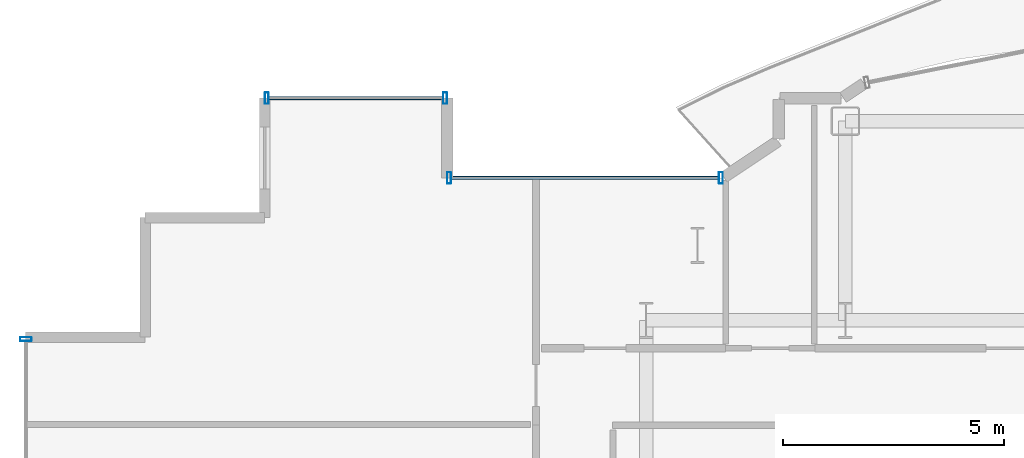
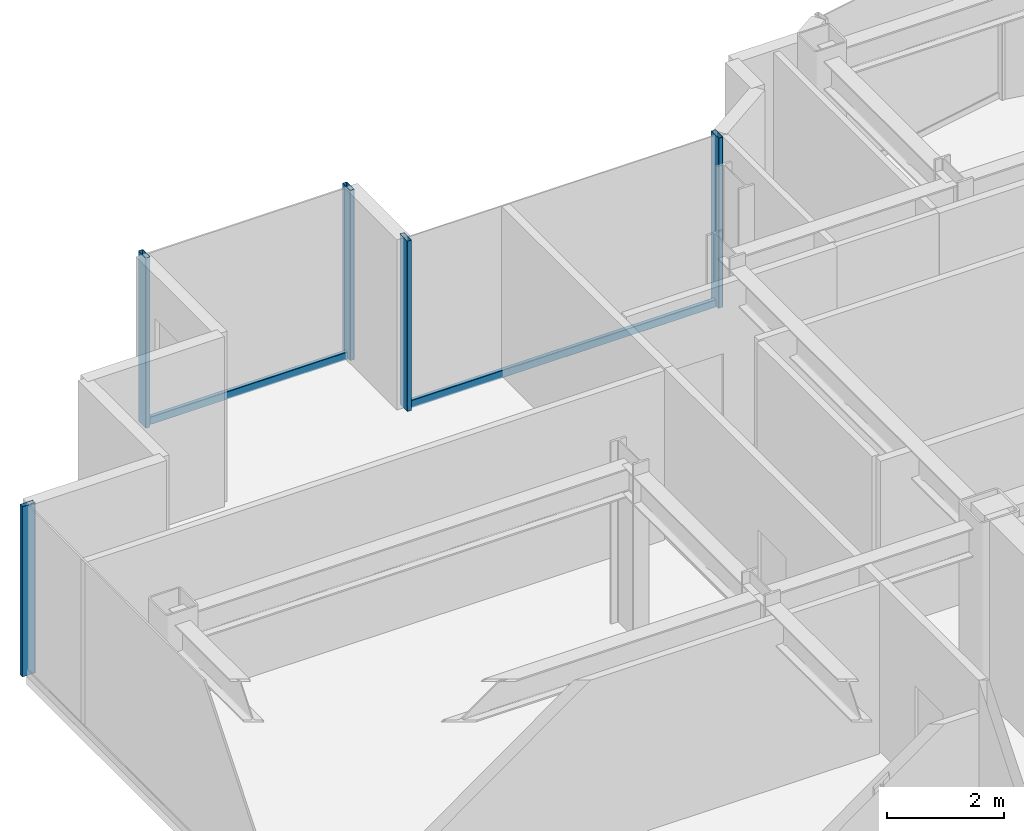
# One storey, part 8 of 21: 7 members, 3 elements without a shape of their own.
"""IFC4 building model written with IfcOpenShell, lengths in metres."""

from ifc_helpers import new_model, si_unit, direction, frame, origin, origin_2d, place, context, subcontext, project, spatial, hollow_rectangle, extrude, source, transform, mapped, material, layer, layer_set, material_profile, profile_set, type_object, element, aggregate, save


model = new_model("IFC4")

# Units and contexts
model_context = context("Model", 3, precision=1e-05, world=origin(), true_north=direction((0.0, 1.0)))
body_context = subcontext(model_context, "Body", "Model", "MODEL_VIEW")
ifc_project = project(units=[si_unit("LENGTHUNIT", "METRE"), si_unit("AREAUNIT", "SQUARE_METRE"), si_unit("VOLUMEUNIT", "CUBIC_METRE"), si_unit("PLANEANGLEUNIT", "RADIAN"), si_unit("MASSUNIT", "GRAM", prefix="KILO")], contexts=[model_context])

# Site, building, storey
site_placement = place(None, origin())
site = spatial("IfcSite", under=ifc_project, at=site_placement, CompositionType="ELEMENT")
building_placement = place(site_placement, origin())
building = spatial("IfcBuilding", under=site, at=building_placement, Name="Nefas-Gora Pilgrimage Tower", CompositionType="ELEMENT")
storey_placement = place(building_placement, frame((0.0, 0.0, 210.39990234375)))
storey = spatial("IfcBuildingStorey", under=building, at=storey_placement, Name="L52", CompositionType="ELEMENT", Elevation=210.39990234375)

# Curtain wall, members
ifc_material_1 = material(Name="Dark ceramic-fritted solar-control aluminium-glass curtain wall", Category="aluminium")
ifc_layer_1 = layer(ifc_material_1, 0.219970703125)
ifc_layer_set_1 = layer_set([ifc_layer_1], Name="Dark ceramic-fritted solar-control aluminium-glass curtain wall")
curtain_wall_type_1 = type_object("IfcCurtainWallType", Name="CW-SYS-5", PredefinedType="NOTDEFINED", material=ifc_layer_set_1)
curtain_wall_1_placement = place(storey_placement, origin())
curtain_wall_1 = element("IfcCurtainWall", 1, at=curtain_wall_1_placement, inside=storey, type_object=curtain_wall_type_1, Name="L52 Unitised Curtain Wall CW5", PredefinedType="NOTDEFINED")
ifc_material_2 = material(Name="Anodised architectural aluminium", Category="aluminium")
ifc_material_profile_1 = material_profile(ifc_material_2, hollow_rectangle(XDim=0.090087890625, YDim=0.260009765625, WallThickness=0.006103515625, InnerFilletRadius=0.006103515625, OuterFilletRadius=0.011962890625, at=origin_2d()), Name="ALU MULLION 90x260")
ifc_profile_set_1 = profile_set([ifc_material_profile_1], Name="Anodised architectural aluminium")
member_type_1 = type_object("IfcMemberType", Name="CWM-MUL-5", PredefinedType="MULLION", material=ifc_profile_set_1)
shared_shape_1 = source(origin(), body_context, "Body", "SweptSolid", [
    extrude(hollow_rectangle(XDim=0.090087890625, YDim=0.260009765625, WallThickness=0.006103515625, InnerFilletRadius=0.006103515625, OuterFilletRadius=0.011962890625, at=origin_2d()), origin(), (0.0, 0.0, 1.0), 3.550048828125),
])
member_1_placement = place(storey_placement, frame((-9.56298828125, 21.219970703125, 0.0), z_axis=(0.0, 0.0, 1.0), x_axis=(-1.0, 0.0, 0.0)))
member_1 = element("IfcMember", 2, at=member_1_placement, type_object=member_type_1, Name="CW5 Mullion 1", PredefinedType="MULLION", context=body_context, shape_type="MappedRepresentation", body=[
    mapped(shared_shape_1, transform((0.0, 0.0, 0.0), x_axis=(1.0, 0.0, 0.0), y_axis=(0.0, 1.0, 0.0), z_axis=(0.0, 0.0, 1.0), scale=1.0)),
])
member_2_placement = place(storey_placement, frame((-15.705078125, 21.219970703125, 0.0), z_axis=(0.0, 0.0, 1.0), x_axis=(-1.0, 0.0, 0.0)))
member_2 = element("IfcMember", 3, at=member_2_placement, type_object=member_type_1, Name="CW5 Mullion 2", PredefinedType="MULLION", context=body_context, shape_type="MappedRepresentation", body=[
    mapped(shared_shape_1, transform((0.0, 0.0, 0.0), x_axis=(1.0, 0.0, 0.0), y_axis=(0.0, 1.0, 0.0), z_axis=(0.0, 0.0, 1.0), scale=1.0)),
])
ifc_material_profile_2 = material_profile(ifc_material_2, hollow_rectangle(XDim=0.080078125, YDim=0.159912109375, WallThickness=0.00439453125, InnerFilletRadius=0.00439453125, OuterFilletRadius=0.009033203125, at=origin_2d()), Name="ALU TRANSOM 80x160")
ifc_profile_set_2 = profile_set([ifc_material_profile_2], Name="Anodised architectural aluminium")
member_type_2 = type_object("IfcMemberType", Name="CWM-TRN-5", PredefinedType="USERDEFINED", material=ifc_profile_set_2)
shared_shape_2 = source(origin(), body_context, "Body", "SweptSolid", [
    extrude(hollow_rectangle(XDim=0.080078125, YDim=0.159912109375, WallThickness=0.00439453125, InnerFilletRadius=0.00439453125, OuterFilletRadius=0.009033203125, at=origin_2d()), origin(), (0.0, 0.0, 1.0), 6.052001953125),
])
member_3_placement = place(storey_placement, frame((-9.60791015625, 21.219970703125, 0.050048828125), z_axis=(-1.0, 0.0, 0.0), x_axis=(0.0, -1.0, 0.0)))
member_3 = element("IfcMember", 4, at=member_3_placement, type_object=member_type_2, Name="CW5 Spandrel Transom", ObjectType="TRANSOM", PredefinedType="USERDEFINED", context=body_context, shape_type="MappedRepresentation", body=[
    mapped(shared_shape_2, transform((0.0, 0.0, 0.0), x_axis=(1.0, 0.0, 0.0), y_axis=(0.0, 1.0, 0.0), z_axis=(0.0, 0.0, 1.0), scale=1.0)),
])
aggregate(curtain_wall_1, [member_1, member_2, member_3])

ifc_layer_2 = layer(ifc_material_1, 0.219970703125)
ifc_layer_set_2 = layer_set([ifc_layer_2], Name="Dark ceramic-fritted solar-control aluminium-glass curtain wall")
curtain_wall_type_2 = type_object("IfcCurtainWallType", Name="CW-SYS-3", PredefinedType="NOTDEFINED", material=ifc_layer_set_2)
curtain_wall_2_placement = place(storey_placement, origin())
curtain_wall_2 = element("IfcCurtainWall", 5, at=curtain_wall_2_placement, inside=storey, type_object=curtain_wall_type_2, Name="L52 Unitised Curtain Wall CW3", PredefinedType="NOTDEFINED")
ifc_material_profile_3 = material_profile(ifc_material_2, hollow_rectangle(XDim=0.090087890625, YDim=0.260009765625, WallThickness=0.006103515625, InnerFilletRadius=0.006103515625, OuterFilletRadius=0.011962890625, at=origin_2d()), Name="ALU MULLION 90x260")
ifc_profile_set_3 = profile_set([ifc_material_profile_3], Name="Anodised architectural aluminium")
member_type_3 = type_object("IfcMemberType", Name="CWM-MUL-3", PredefinedType="MULLION", material=ifc_profile_set_3)
shared_shape_3 = source(origin(), body_context, "Body", "SweptSolid", [
    extrude(hollow_rectangle(XDim=0.090087890625, YDim=0.260009765625, WallThickness=0.006103515625, InnerFilletRadius=0.006103515625, OuterFilletRadius=0.011962890625, at=origin_2d()), origin(), (0.0, 0.0, 1.0), 3.550048828125),
])
member_4_placement = place(storey_placement, frame((-15.794921875, 23.02001953125, 0.0), z_axis=(0.0, 0.0, 1.0), x_axis=(-1.0, 0.0, 0.0)))
member_4 = element("IfcMember", 6, at=member_4_placement, type_object=member_type_3, Name="CW3 Mullion 1", PredefinedType="MULLION", context=body_context, shape_type="MappedRepresentation", body=[
    mapped(shared_shape_3, transform((0.0, 0.0, 0.0), x_axis=(1.0, 0.0, 0.0), y_axis=(0.0, 1.0, 0.0), z_axis=(0.0, 0.0, 1.0), scale=1.0)),
])
member_5_placement = place(storey_placement, frame((-19.824951171875, 23.02001953125, 0.0), z_axis=(0.0, 0.0, 1.0), x_axis=(-1.0, 0.0, 0.0)))
member_5 = element("IfcMember", 7, at=member_5_placement, type_object=member_type_3, Name="CW3 Mullion 2", PredefinedType="MULLION", context=body_context, shape_type="MappedRepresentation", body=[
    mapped(shared_shape_3, transform((0.0, 0.0, 0.0), x_axis=(1.0, 0.0, 0.0), y_axis=(0.0, 1.0, 0.0), z_axis=(0.0, 0.0, 1.0), scale=1.0)),
])

# Curtain wall, member
curtain_wall_3_placement = place(storey_placement, origin())
curtain_wall_3 = element("IfcCurtainWall", 8, at=curtain_wall_3_placement, inside=storey, type_object=curtain_wall_type_2, Name="L52 Unitised Curtain Wall CW3", PredefinedType="NOTDEFINED")
member_6_placement = place(storey_placement, frame((-25.27001953125, 17.574951171875, 0.0), z_axis=(0.0, 0.0, 1.0), x_axis=(0.0, -1.0, 0.0)))
member_6 = element("IfcMember", 9, at=member_6_placement, type_object=member_type_3, Name="CW3 Mullion 1", PredefinedType="MULLION", context=body_context, shape_type="MappedRepresentation", body=[
    mapped(shared_shape_3, transform((0.0, 0.0, 0.0), x_axis=(1.0, 0.0, 0.0), y_axis=(0.0, 1.0, 0.0), z_axis=(0.0, 0.0, 1.0), scale=1.0)),
])
aggregate(curtain_wall_3, [member_6])

# Member
ifc_material_profile_4 = material_profile(ifc_material_2, hollow_rectangle(XDim=0.080078125, YDim=0.159912109375, WallThickness=0.00439453125, InnerFilletRadius=0.00439453125, OuterFilletRadius=0.009033203125, at=origin_2d()), Name="ALU TRANSOM 80x160")
ifc_profile_set_4 = profile_set([ifc_material_profile_4], Name="Anodised architectural aluminium")
member_type_4 = type_object("IfcMemberType", Name="CWM-TRN-3", PredefinedType="USERDEFINED", material=ifc_profile_set_4)
shared_shape_4 = source(origin(), body_context, "Body", "SweptSolid", [
    extrude(hollow_rectangle(XDim=0.080078125, YDim=0.159912109375, WallThickness=0.00439453125, InnerFilletRadius=0.00439453125, OuterFilletRadius=0.009033203125, at=origin_2d()), origin(), (0.0, 0.0, 1.0), 3.93994140625),
])
member_7_placement = place(storey_placement, frame((-15.840087890625, 23.02001953125, 0.050048828125), z_axis=(-1.0, 0.0, 0.0), x_axis=(0.0, -1.0, 0.0)))
member_7 = element("IfcMember", 10, at=member_7_placement, type_object=member_type_4, Name="CW3 Spandrel Transom", ObjectType="TRANSOM", PredefinedType="USERDEFINED", context=body_context, shape_type="MappedRepresentation", body=[
    mapped(shared_shape_4, transform((0.0, 0.0, 0.0), x_axis=(1.0, 0.0, 0.0), y_axis=(0.0, 1.0, 0.0), z_axis=(0.0, 0.0, 1.0), scale=1.0)),
])

aggregate(curtain_wall_2, [member_4, member_5, member_7])

save(model, "model.ifc")
